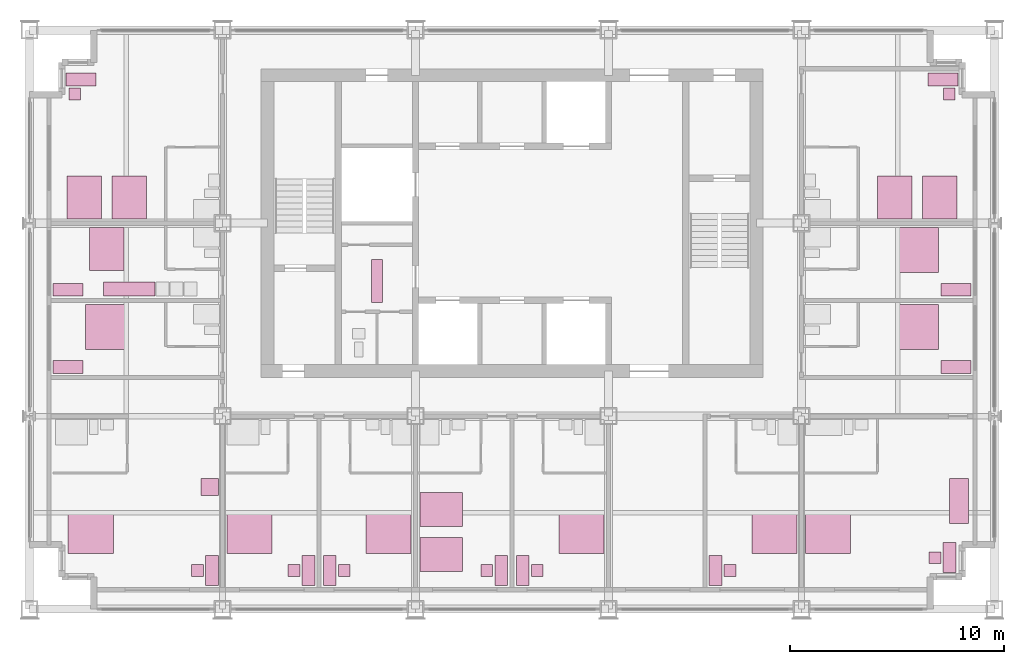
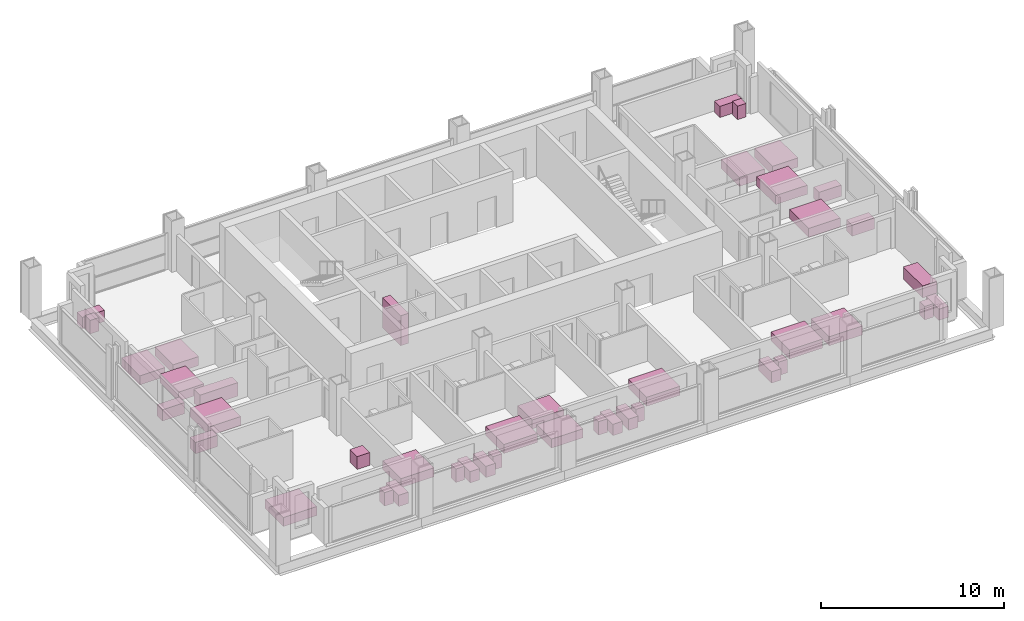
# One storey, part 14 of 14: 42 furniture elements.
"""IFC4 building model written with IfcOpenShell, lengths in metres."""

from ifc_helpers import new_model, si_unit, direction, frame, origin, origin_2d, place, context, subcontext, project, spatial, rectangle, extrude, element, save


model = new_model("IFC4")

# Units and contexts
model_context = context("Model", 3, precision=1e-05, world=origin(), true_north=direction((0.0, 1.0)))
body_context = subcontext(model_context, "Body", "Model", "MODEL_VIEW")
ifc_project = project(units=[si_unit("LENGTHUNIT", "METRE"), si_unit("AREAUNIT", "SQUARE_METRE"), si_unit("VOLUMEUNIT", "CUBIC_METRE"), si_unit("PLANEANGLEUNIT", "RADIAN"), si_unit("MASSUNIT", "GRAM", prefix="KILO")], contexts=[model_context])

# Site, building, storey
site_placement = place(None, origin())
site = spatial("IfcSite", under=ifc_project, at=site_placement, CompositionType="ELEMENT")
building_placement = place(site_placement, origin())
building = spatial("IfcBuilding", under=site, at=building_placement, Name="Loomwork Tower", CompositionType="ELEMENT")
storey_placement = place(building_placement, frame((0.0, 0.0, 170.60009765625)))
storey = spatial("IfcBuildingStorey", under=building, at=storey_placement, Name="L46", CompositionType="ELEMENT", Elevation=170.60009765625)

# Furniture
furniture_1_placement = place(storey_placement, frame((2.85009765625, 3.60009765625, -0.000244140625), z_axis=(0.0, 0.0, 1.0), x_axis=(1.0, 0.0, 0.0)))
element("IfcFurniture", 1, at=furniture_1_placement, inside=storey, Name="King bed L46", PredefinedType="BED", context=body_context, shape_type="SweptSolid", body=[
    extrude(rectangle(XDim=2.10009765625, YDim=2.0, at=origin_2d()), origin(), (0.0, 0.0, 1.0), 0.60009765625),
])
furniture_2_placement = place(storey_placement, frame((8.5, 1.800048828125, 0.0), z_axis=(0.0, 0.0, 1.0), x_axis=(1.0, 0.0, 0.0)))
element("IfcFurniture", 2, at=furniture_2_placement, inside=storey, Name="Writing desk L46", PredefinedType="DESK", context=body_context, shape_type="SweptSolid", body=[
    extrude(rectangle(XDim=0.60009765625, YDim=1.39990234375, at=origin_2d()), origin(), (0.0, 0.0, 1.0), 0.75),
])
furniture_3_placement = place(storey_placement, frame((7.824951171875, 1.800048828125, 0.0), z_axis=(0.0, 0.0, 1.0), x_axis=(1.0, 0.0, 0.0)))
element("IfcFurniture", 3, at=furniture_3_placement, inside=storey, Name="Desk chair L46", PredefinedType="CHAIR", context=body_context, shape_type="SweptSolid", body=[
    extrude(rectangle(XDim=0.550048828125, YDim=0.550048828125, at=origin_2d()), origin(), (0.0, 0.0, 1.0), 0.89990234375),
])
furniture_4_placement = place(storey_placement, frame((8.39990234375, 5.699951171875, -0.000244140625), z_axis=(0.0, 0.0, 1.0), x_axis=(1.0, 0.0, 0.0)))
element("IfcFurniture", 4, at=furniture_4_placement, inside=storey, Name="Lounge armchair L46", PredefinedType="CHAIR", context=body_context, shape_type="SweptSolid", body=[
    extrude(rectangle(XDim=0.800048828125, YDim=0.800048828125, at=origin_2d()), origin(), (0.0, 0.0, 1.0), 0.85009765625),
])
furniture_5_placement = place(storey_placement, frame((10.25, 3.60009765625, -0.000244140625), z_axis=(0.0, 0.0, 1.0), x_axis=(1.0, 0.0, 0.0)))
element("IfcFurniture", 5, at=furniture_5_placement, inside=storey, Name="King bed L46", PredefinedType="BED", context=body_context, shape_type="SweptSolid", body=[
    extrude(rectangle(XDim=2.10009765625, YDim=2.0, at=origin_2d()), origin(), (0.0, 0.0, 1.0), 0.60009765625),
])
furniture_6_placement = place(storey_placement, frame((13.0, 1.800048828125, 0.0), z_axis=(0.0, 0.0, 1.0), x_axis=(1.0, 0.0, 0.0)))
element("IfcFurniture", 6, at=furniture_6_placement, inside=storey, Name="Writing desk L46", PredefinedType="DESK", context=body_context, shape_type="SweptSolid", body=[
    extrude(rectangle(XDim=0.60009765625, YDim=1.39990234375, at=origin_2d()), origin(), (0.0, 0.0, 1.0), 0.75),
])
furniture_7_placement = place(storey_placement, frame((12.324951171875, 1.800048828125, 0.0), z_axis=(0.0, 0.0, 1.0), x_axis=(1.0, 0.0, 0.0)))
element("IfcFurniture", 7, at=furniture_7_placement, inside=storey, Name="Desk chair L46", PredefinedType="CHAIR", context=body_context, shape_type="SweptSolid", body=[
    extrude(rectangle(XDim=0.550048828125, YDim=0.550048828125, at=origin_2d()), origin(), (0.0, 0.0, 1.0), 0.89990234375),
])
furniture_8_placement = place(storey_placement, frame((16.75, 3.60009765625, -0.000244140625), z_axis=(0.0, 0.0, 1.0), x_axis=(1.0, 0.0, 0.0)))
element("IfcFurniture", 8, at=furniture_8_placement, inside=storey, Name="King bed L46", PredefinedType="BED", context=body_context, shape_type="SweptSolid", body=[
    extrude(rectangle(XDim=2.10009765625, YDim=2.0, at=origin_2d()), origin(), (0.0, 0.0, 1.0), 0.60009765625),
])
furniture_9_placement = place(storey_placement, frame((14.0, 1.800048828125, 0.0), z_axis=(0.0, 0.0, 1.0), x_axis=(1.0, 0.0, 0.0)))
element("IfcFurniture", 9, at=furniture_9_placement, inside=storey, Name="Writing desk L46", PredefinedType="DESK", context=body_context, shape_type="SweptSolid", body=[
    extrude(rectangle(XDim=0.60009765625, YDim=1.39990234375, at=origin_2d()), origin(), (0.0, 0.0, 1.0), 0.75),
])
furniture_10_placement = place(storey_placement, frame((14.675048828125, 1.800048828125, 0.0), z_axis=(0.0, 0.0, 1.0), x_axis=(1.0, 0.0, 0.0)))
element("IfcFurniture", 10, at=furniture_10_placement, inside=storey, Name="Desk chair L46", PredefinedType="CHAIR", context=body_context, shape_type="SweptSolid", body=[
    extrude(rectangle(XDim=0.550048828125, YDim=0.550048828125, at=origin_2d()), origin(), (0.0, 0.0, 1.0), 0.89990234375),
])
for number, where, z_axis, x_axis, name in (
    (11, (19.199951171875, 4.64990234375, -0.000244140625), (0.0, 0.0, 1.0), (1.0, 0.0, 0.0), "Queen bed L46"),
    (12, (19.199951171875, 2.550048828125, -0.000244140625), (0.0, 0.0, 1.0), (1.0, 0.0, 0.0), "Queen bed L46"),
):
    element("IfcFurniture", number, at=place(storey_placement, frame(where, z_axis=z_axis, x_axis=x_axis)), inside=storey, Name=name, PredefinedType="BED", context=body_context, shape_type="SweptSolid", body=[
        extrude(rectangle(XDim=2.0, YDim=1.60009765625, at=origin_2d()), origin(), (0.0, 0.0, 1.0), 0.60009765625),
    ])
furniture_11_placement = place(storey_placement, frame((22.0, 1.800048828125, 0.0), z_axis=(0.0, 0.0, 1.0), x_axis=(1.0, 0.0, 0.0)))
element("IfcFurniture", 13, at=furniture_11_placement, inside=storey, Name="Writing desk L46", PredefinedType="DESK", context=body_context, shape_type="SweptSolid", body=[
    extrude(rectangle(XDim=0.60009765625, YDim=1.39990234375, at=origin_2d()), origin(), (0.0, 0.0, 1.0), 0.75),
])
furniture_12_placement = place(storey_placement, frame((21.324951171875, 1.800048828125, 0.0), z_axis=(0.0, 0.0, 1.0), x_axis=(1.0, 0.0, 0.0)))
element("IfcFurniture", 14, at=furniture_12_placement, inside=storey, Name="Desk chair L46", PredefinedType="CHAIR", context=body_context, shape_type="SweptSolid", body=[
    extrude(rectangle(XDim=0.550048828125, YDim=0.550048828125, at=origin_2d()), origin(), (0.0, 0.0, 1.0), 0.89990234375),
])
furniture_13_placement = place(storey_placement, frame((25.75, 3.60009765625, -0.000244140625), z_axis=(0.0, 0.0, 1.0), x_axis=(1.0, 0.0, 0.0)))
element("IfcFurniture", 15, at=furniture_13_placement, inside=storey, Name="King bed L46", PredefinedType="BED", context=body_context, shape_type="SweptSolid", body=[
    extrude(rectangle(XDim=2.10009765625, YDim=2.0, at=origin_2d()), origin(), (0.0, 0.0, 1.0), 0.60009765625),
])
furniture_14_placement = place(storey_placement, frame((23.0, 1.800048828125, 0.0), z_axis=(0.0, 0.0, 1.0), x_axis=(1.0, 0.0, 0.0)))
element("IfcFurniture", 16, at=furniture_14_placement, inside=storey, Name="Writing desk L46", PredefinedType="DESK", context=body_context, shape_type="SweptSolid", body=[
    extrude(rectangle(XDim=0.60009765625, YDim=1.39990234375, at=origin_2d()), origin(), (0.0, 0.0, 1.0), 0.75),
])
furniture_15_placement = place(storey_placement, frame((23.675048828125, 1.800048828125, 0.0), z_axis=(0.0, 0.0, 1.0), x_axis=(1.0, 0.0, 0.0)))
element("IfcFurniture", 17, at=furniture_15_placement, inside=storey, Name="Desk chair L46", PredefinedType="CHAIR", context=body_context, shape_type="SweptSolid", body=[
    extrude(rectangle(XDim=0.550048828125, YDim=0.550048828125, at=origin_2d()), origin(), (0.0, 0.0, 1.0), 0.89990234375),
])
furniture_16_placement = place(storey_placement, frame((34.75, 3.60009765625, -0.000244140625), z_axis=(0.0, 0.0, 1.0), x_axis=(1.0, 0.0, 0.0)))
element("IfcFurniture", 18, at=furniture_16_placement, inside=storey, Name="King bed L46", PredefinedType="BED", context=body_context, shape_type="SweptSolid", body=[
    extrude(rectangle(XDim=2.10009765625, YDim=2.0, at=origin_2d()), origin(), (0.0, 0.0, 1.0), 0.60009765625),
])
furniture_17_placement = place(storey_placement, frame((32.0, 1.800048828125, 0.0), z_axis=(0.0, 0.0, 1.0), x_axis=(1.0, 0.0, 0.0)))
element("IfcFurniture", 19, at=furniture_17_placement, inside=storey, Name="Writing desk L46", PredefinedType="DESK", context=body_context, shape_type="SweptSolid", body=[
    extrude(rectangle(XDim=0.60009765625, YDim=1.39990234375, at=origin_2d()), origin(), (0.0, 0.0, 1.0), 0.75),
])
furniture_18_placement = place(storey_placement, frame((32.675048828125, 1.800048828125, 0.0), z_axis=(0.0, 0.0, 1.0), x_axis=(1.0, 0.0, 0.0)))
element("IfcFurniture", 20, at=furniture_18_placement, inside=storey, Name="Desk chair L46", PredefinedType="CHAIR", context=body_context, shape_type="SweptSolid", body=[
    extrude(rectangle(XDim=0.550048828125, YDim=0.550048828125, at=origin_2d()), origin(), (0.0, 0.0, 1.0), 0.89990234375),
])
furniture_19_placement = place(storey_placement, frame((37.25, 3.60009765625, -0.000244140625), z_axis=(0.0, 0.0, 1.0), x_axis=(1.0, 0.0, 0.0)))
element("IfcFurniture", 21, at=furniture_19_placement, inside=storey, Name="King bed L46", PredefinedType="BED", context=body_context, shape_type="SweptSolid", body=[
    extrude(rectangle(XDim=2.10009765625, YDim=2.0, at=origin_2d()), origin(), (0.0, 0.0, 1.0), 0.60009765625),
])
furniture_20_placement = place(storey_placement, frame((42.89990234375, 2.39990234375, 0.0), z_axis=(0.0, 0.0, 1.0), x_axis=(1.0, 0.0, 0.0)))
element("IfcFurniture", 22, at=furniture_20_placement, inside=storey, Name="Writing desk L46", PredefinedType="DESK", context=body_context, shape_type="SweptSolid", body=[
    extrude(rectangle(XDim=0.60009765625, YDim=1.39990234375, at=origin_2d()), origin(), (0.0, 0.0, 1.0), 0.75),
])
furniture_21_placement = place(storey_placement, frame((42.22509765625, 2.39990234375, 0.0), z_axis=(0.0, 0.0, 1.0), x_axis=(1.0, 0.0, 0.0)))
element("IfcFurniture", 23, at=furniture_21_placement, inside=storey, Name="Desk chair L46", PredefinedType="CHAIR", context=body_context, shape_type="SweptSolid", body=[
    extrude(rectangle(XDim=0.550048828125, YDim=0.550048828125, at=origin_2d()), origin(), (0.0, 0.0, 1.0), 0.89990234375),
])
furniture_22_placement = place(storey_placement, frame((43.35009765625, 5.050048828125, 0.0), z_axis=(0.0, 0.0, 1.0), x_axis=(1.0, 0.0, 0.0)))
element("IfcFurniture", 24, at=furniture_22_placement, inside=storey, Name="Sofa L46", PredefinedType="SOFA", context=body_context, shape_type="SweptSolid", body=[
    extrude(rectangle(XDim=0.89990234375, YDim=2.10009765625, at=origin_2d()), origin(), (0.0, 0.0, 1.0), 0.800048828125),
])
furniture_23_placement = place(storey_placement, frame((3.60009765625, 13.14990234375, -0.000244140625), z_axis=(0.0, 0.0, 1.0), x_axis=(1.0, 0.0, 0.0)))
element("IfcFurniture", 25, at=furniture_23_placement, inside=storey, Name="King bed L46", PredefinedType="BED", context=body_context, shape_type="SweptSolid", body=[
    extrude(rectangle(XDim=2.0, YDim=2.10009765625, at=origin_2d()), origin(), (0.0, 0.0, 1.0), 0.60009765625),
])
furniture_24_placement = place(storey_placement, frame((1.800048828125, 11.300048828125, 0.0), z_axis=(0.0, 0.0, 1.0), x_axis=(1.0, 0.0, 0.0)))
element("IfcFurniture", 26, at=furniture_24_placement, inside=storey, Name="Writing desk L46", PredefinedType="DESK", context=body_context, shape_type="SweptSolid", body=[
    extrude(rectangle(XDim=1.39990234375, YDim=0.60009765625, at=origin_2d()), origin(), (0.0, 0.0, 1.0), 0.75),
])
furniture_25_placement = place(storey_placement, frame((3.60009765625, 16.800048828125, -0.000244140625), z_axis=(0.0, 0.0, 1.0), x_axis=(1.0, 0.0, 0.0)))
element("IfcFurniture", 27, at=furniture_25_placement, inside=storey, Name="Queen bed L46", PredefinedType="BED", context=body_context, shape_type="SweptSolid", body=[
    extrude(rectangle(XDim=1.60009765625, YDim=2.0, at=origin_2d()), origin(), (0.0, 0.0, 1.0), 0.60009765625),
])
furniture_26_placement = place(storey_placement, frame((1.800048828125, 14.89990234375, 0.0), z_axis=(0.0, 0.0, 1.0), x_axis=(1.0, 0.0, 0.0)))
element("IfcFurniture", 28, at=furniture_26_placement, inside=storey, Name="Writing desk L46", PredefinedType="DESK", context=body_context, shape_type="SweptSolid", body=[
    extrude(rectangle(XDim=1.39990234375, YDim=0.60009765625, at=origin_2d()), origin(), (0.0, 0.0, 1.0), 0.75),
])
furniture_27_placement = place(storey_placement, frame((4.64990234375, 14.925048828125, 0.0), z_axis=(0.0, 0.0, 1.0), x_axis=(1.0, 0.0, 0.0)))
element("IfcFurniture", 29, at=furniture_27_placement, inside=storey, Name="Kitchenette counter L46", ObjectType="KITCHENETTE", PredefinedType="USERDEFINED", context=body_context, shape_type="SweptSolid", body=[
    extrude(rectangle(XDim=2.39990234375, YDim=0.64990234375, at=origin_2d()), origin(), (0.0, 0.0, 1.0), 0.89990234375),
])
for number, where, z_axis, x_axis, name in (
    (30, (4.64990234375, 19.199951171875, -0.000244140625), (0.0, 0.0, 1.0), (1.0, 0.0, 0.0), "Queen bed L46"),
    (31, (2.550048828125, 19.199951171875, -0.000244140625), (0.0, 0.0, 1.0), (1.0, 0.0, 0.0), "Queen bed L46"),
):
    element("IfcFurniture", number, at=place(storey_placement, frame(where, z_axis=z_axis, x_axis=x_axis)), inside=storey, Name=name, PredefinedType="BED", context=body_context, shape_type="SweptSolid", body=[
        extrude(rectangle(XDim=1.60009765625, YDim=2.0, at=origin_2d()), origin(), (0.0, 0.0, 1.0), 0.60009765625),
    ])
furniture_28_placement = place(storey_placement, frame((2.39990234375, 24.699951171875, 0.0), z_axis=(0.0, 0.0, 1.0), x_axis=(1.0, 0.0, 0.0)))
element("IfcFurniture", 32, at=furniture_28_placement, inside=storey, Name="Writing desk L46", PredefinedType="DESK", context=body_context, shape_type="SweptSolid", body=[
    extrude(rectangle(XDim=1.39990234375, YDim=0.60009765625, at=origin_2d()), origin(), (0.0, 0.0, 1.0), 0.75),
])
furniture_29_placement = place(storey_placement, frame((2.10009765625, 24.02490234375, 0.0), z_axis=(0.0, 0.0, 1.0), x_axis=(1.0, 0.0, 0.0)))
element("IfcFurniture", 33, at=furniture_29_placement, inside=storey, Name="Desk chair L46", PredefinedType="CHAIR", context=body_context, shape_type="SweptSolid", body=[
    extrude(rectangle(XDim=0.550048828125, YDim=0.550048828125, at=origin_2d()), origin(), (0.0, 0.0, 1.0), 0.89990234375),
])
furniture_30_placement = place(storey_placement, frame((41.39990234375, 13.14990234375, -0.000244140625), z_axis=(0.0, 0.0, 1.0), x_axis=(1.0, 0.0, 0.0)))
element("IfcFurniture", 34, at=furniture_30_placement, inside=storey, Name="King bed L46", PredefinedType="BED", context=body_context, shape_type="SweptSolid", body=[
    extrude(rectangle(XDim=2.0, YDim=2.10009765625, at=origin_2d()), origin(), (0.0, 0.0, 1.0), 0.60009765625),
])
furniture_31_placement = place(storey_placement, frame((43.199951171875, 11.300048828125, 0.0), z_axis=(0.0, 0.0, 1.0), x_axis=(1.0, 0.0, 0.0)))
element("IfcFurniture", 35, at=furniture_31_placement, inside=storey, Name="Writing desk L46", PredefinedType="DESK", context=body_context, shape_type="SweptSolid", body=[
    extrude(rectangle(XDim=1.39990234375, YDim=0.60009765625, at=origin_2d()), origin(), (0.0, 0.0, 1.0), 0.75),
])
furniture_32_placement = place(storey_placement, frame((41.39990234375, 16.75, -0.000244140625), z_axis=(0.0, 0.0, 1.0), x_axis=(1.0, 0.0, 0.0)))
element("IfcFurniture", 36, at=furniture_32_placement, inside=storey, Name="King bed L46", PredefinedType="BED", context=body_context, shape_type="SweptSolid", body=[
    extrude(rectangle(XDim=2.0, YDim=2.10009765625, at=origin_2d()), origin(), (0.0, 0.0, 1.0), 0.60009765625),
])
furniture_33_placement = place(storey_placement, frame((43.199951171875, 14.89990234375, 0.0), z_axis=(0.0, 0.0, 1.0), x_axis=(1.0, 0.0, 0.0)))
element("IfcFurniture", 37, at=furniture_33_placement, inside=storey, Name="Writing desk L46", PredefinedType="DESK", context=body_context, shape_type="SweptSolid", body=[
    extrude(rectangle(XDim=1.39990234375, YDim=0.60009765625, at=origin_2d()), origin(), (0.0, 0.0, 1.0), 0.75),
])
for number, where, z_axis, x_axis, name in (
    (38, (40.35009765625, 19.199951171875, -0.000244140625), (0.0, 0.0, 1.0), (1.0, 0.0, 0.0), "Queen bed L46"),
    (39, (42.449951171875, 19.199951171875, -0.000244140625), (0.0, 0.0, 1.0), (1.0, 0.0, 0.0), "Queen bed L46"),
):
    element("IfcFurniture", number, at=place(storey_placement, frame(where, z_axis=z_axis, x_axis=x_axis)), inside=storey, Name=name, PredefinedType="BED", context=body_context, shape_type="SweptSolid", body=[
        extrude(rectangle(XDim=1.60009765625, YDim=2.0, at=origin_2d()), origin(), (0.0, 0.0, 1.0), 0.60009765625),
    ])
furniture_34_placement = place(storey_placement, frame((42.60009765625, 24.699951171875, 0.0), z_axis=(0.0, 0.0, 1.0), x_axis=(1.0, 0.0, 0.0)))
element("IfcFurniture", 40, at=furniture_34_placement, inside=storey, Name="Writing desk L46", PredefinedType="DESK", context=body_context, shape_type="SweptSolid", body=[
    extrude(rectangle(XDim=1.39990234375, YDim=0.60009765625, at=origin_2d()), origin(), (0.0, 0.0, 1.0), 0.75),
])
furniture_35_placement = place(storey_placement, frame((42.89990234375, 24.02490234375, 0.0), z_axis=(0.0, 0.0, 1.0), x_axis=(1.0, 0.0, 0.0)))
element("IfcFurniture", 41, at=furniture_35_placement, inside=storey, Name="Desk chair L46", PredefinedType="CHAIR", context=body_context, shape_type="SweptSolid", body=[
    extrude(rectangle(XDim=0.550048828125, YDim=0.550048828125, at=origin_2d()), origin(), (0.0, 0.0, 1.0), 0.89990234375),
])
furniture_36_placement = place(storey_placement, frame((16.199951171875, 15.300048828125, 0.0), z_axis=(0.0, 0.0, 1.0), x_axis=(1.0, 0.0, 0.0)))
element("IfcFurniture", 42, at=furniture_36_placement, inside=storey, Name="Linen shelving L46", PredefinedType="SHELF", context=body_context, shape_type="SweptSolid", body=[
    extrude(rectangle(XDim=0.5, YDim=2.0, at=origin_2d()), origin(), (0.0, 0.0, 1.0), 2.0),
])

save(model, "model.ifc")
